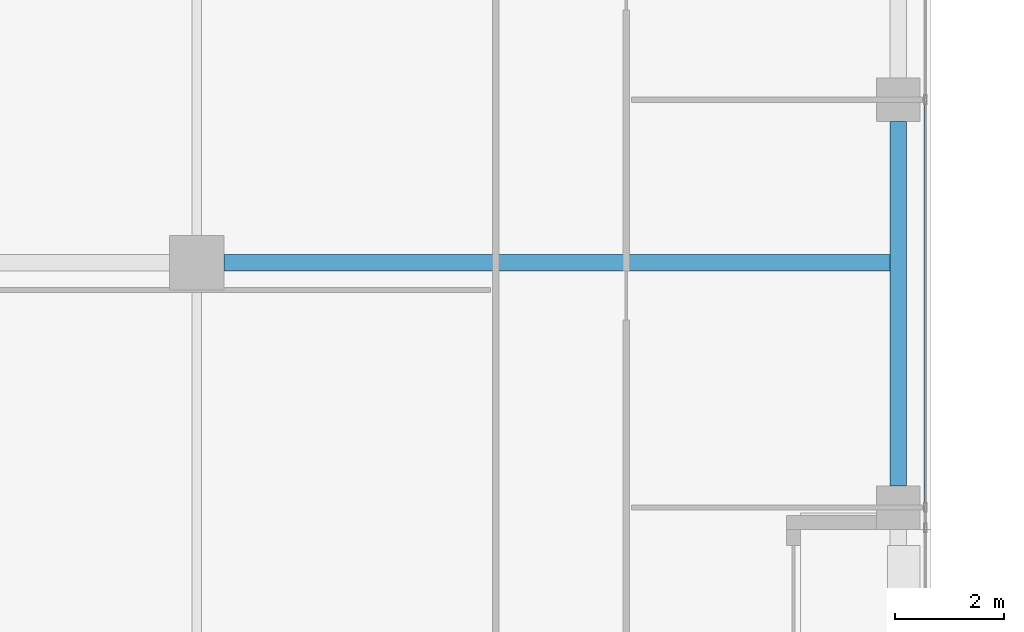
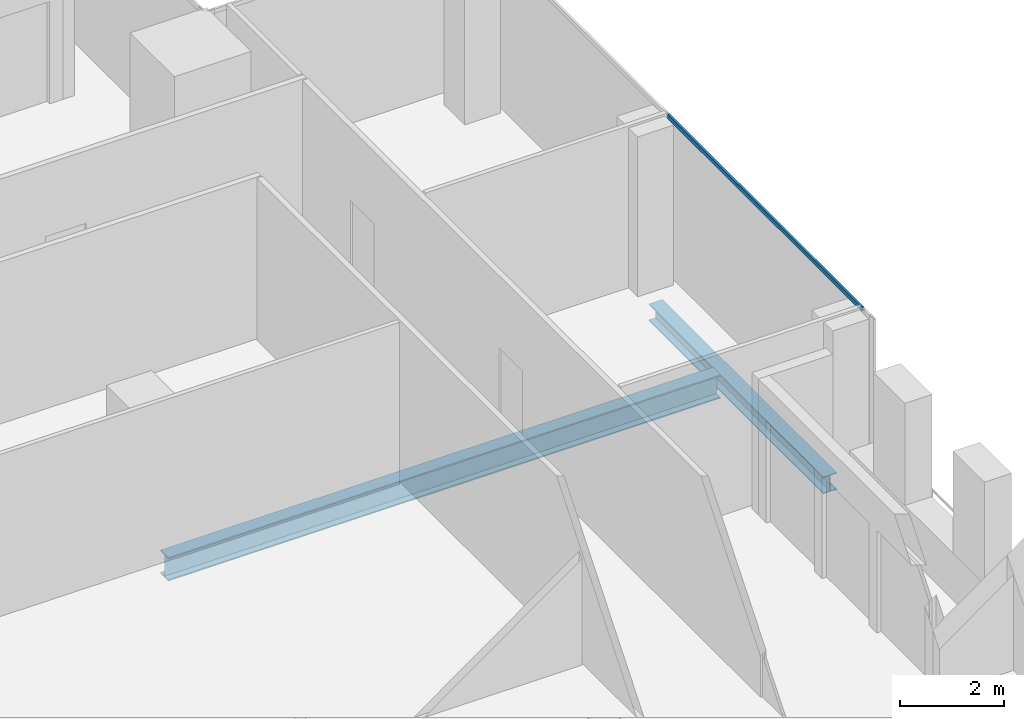
# One storey, part 11 of 29: 2 beams, 1 member, 1 element without a shape of its own.
"""IFC4 building model written with IfcOpenShell, lengths in metres."""

from ifc_helpers import new_model, si_unit, direction, frame, origin, origin_2d, place, context, subcontext, project, spatial, hollow_rectangle, i_section, extrude, source, transform, mapped, material, material_profile, profile_set, type_object, element, aggregate, save


model = new_model("IFC4")

# Units and contexts
model_context = context("Model", 3, precision=1e-05, world=origin(), true_north=direction((0.0, 1.0)))
body_context = subcontext(model_context, "Body", "Model", "MODEL_VIEW")
ifc_project = project(units=[si_unit("LENGTHUNIT", "METRE"), si_unit("AREAUNIT", "SQUARE_METRE"), si_unit("VOLUMEUNIT", "CUBIC_METRE"), si_unit("PLANEANGLEUNIT", "RADIAN"), si_unit("MASSUNIT", "GRAM", prefix="KILO")], contexts=[model_context])

# Site, building, storey
site_placement = place(None, origin())
site = spatial("IfcSite", under=ifc_project, at=site_placement, CompositionType="ELEMENT")
building_placement = place(site_placement, origin())
building = spatial("IfcBuilding", under=site, at=building_placement, Name="Khomas Fold Tower", CompositionType="ELEMENT")
storey_placement = place(building_placement, frame((0.0, 0.0, 290.199951171875)))
storey = spatial("IfcBuildingStorey", under=building, at=storey_placement, Name="L65", CompositionType="ELEMENT", Elevation=290.199951171875)

# Beams
ifc_material_1 = material(Name="Steel S355", Category="steel")
ifc_material_profile_1 = material_profile(ifc_material_1, i_section(OverallWidth=0.300048828125, OverallDepth=0.39990234375, WebThickness=0.013427734375, FlangeThickness=0.02392578125, at=origin_2d()), Name="HE 400 B")
ifc_profile_set_1 = profile_set([ifc_material_profile_1], Name="Steel S355")
beam_type_1 = type_object("IfcBeamType", Name="HE 400 B spandrel SB5", PredefinedType="SPANDREL", material=ifc_profile_set_1)
shared_shape_1 = source(origin(), body_context, "Body", "SweptSolid", [
    extrude(i_section(OverallWidth=0.300048828125, OverallDepth=0.39990234375, WebThickness=0.013427734375, FlangeThickness=0.02392578125, at=origin_2d()), origin(), (0.0, 0.0, 1.0), 6.7001953125),
])
beam_1_placement = place(storey_placement, frame((47.39990234375, 27.39990234375, -0.449951171875), z_axis=(0.0, 1.0, 0.0), x_axis=(-1.0, 0.0, 0.0)))
element("IfcBeam", 1, at=beam_1_placement, inside=storey, type_object=beam_type_1, Name="SB5", PredefinedType="SPANDREL", context=body_context, shape_type="MappedRepresentation", body=[
    mapped(shared_shape_1, transform((0.0, 0.0, 0.0))),
])
ifc_material_2 = material(Name="Steel S355", Category="steel")
ifc_material_profile_2 = material_profile(ifc_material_2, i_section(OverallWidth=0.300048828125, OverallDepth=0.550048828125, WebThickness=0.014892578125, FlangeThickness=0.029052734375, at=origin_2d()), Name="HE 550 B")
ifc_profile_set_2 = profile_set([ifc_material_profile_2], Name="Steel S355")
beam_type_2 = type_object("IfcBeamType", Name="HE 550 B beam GB4", PredefinedType="BEAM", material=ifc_profile_set_2)
shared_shape_2 = source(origin(), body_context, "Body", "SweptSolid", [
    extrude(i_section(OverallWidth=0.300048828125, OverallDepth=0.550048828125, WebThickness=0.014892578125, FlangeThickness=0.029052734375, at=origin_2d()), origin(), (0.0, 0.0, 1.0), 12.25),
])
beam_2_placement = place(storey_placement, frame((35.0, 31.5, -0.52490234375), z_axis=(1.0, 0.0, 0.0), x_axis=(0.0, 1.0, 0.0)))
element("IfcBeam", 2, at=beam_2_placement, inside=storey, type_object=beam_type_2, Name="GB4", PredefinedType="BEAM", context=body_context, shape_type="MappedRepresentation", body=[
    mapped(shared_shape_2, transform((0.0, 0.0, 0.0))),
])

# Curtain wall, member
ifc_material_3 = material(Name="Aluminium framed double glazing", Category="aluminium")
curtain_wall_type = type_object("IfcCurtainWallType", Name="SK-Unitised clear-glass wall, upper floors CW3", PredefinedType="NOTDEFINED", material=ifc_material_3)
curtain_wall_placement = place(storey_placement, origin())
curtain_wall = element("IfcCurtainWall", 3, at=curtain_wall_placement, inside=storey, type_object=curtain_wall_type, Name="CW3 run L65 03-1", PredefinedType="NOTDEFINED")
ifc_material_4 = material(Name="Aluminium", Category="aluminium")
ifc_material_profile_3 = material_profile(ifc_material_4, hollow_rectangle(XDim=0.050048828125, YDim=0.10009765625, WallThickness=0.00390625, at=origin_2d()), Name="SK-Unitised clear-glass wall, upper floors transom CW3-T")
ifc_profile_set_3 = profile_set([ifc_material_profile_3], Name="Aluminium")
member_type = type_object("IfcMemberType", Name="SK-Unitised clear-glass wall, upper floors transom CW3-T", PredefinedType="USERDEFINED", material=ifc_profile_set_3)
shared_shape_3 = source(origin(), body_context, "Body", "SweptSolid", [
    extrude(hollow_rectangle(XDim=0.050048828125, YDim=0.10009765625, WallThickness=0.00390625, at=origin_2d()), origin(), (0.0, 0.0, 1.0), 7.4501953125),
])
member_placement = place(storey_placement, frame((47.89990234375, 27.02490234375, 3.699951171875), z_axis=(0.0, 1.0, 0.0), x_axis=(-1.0, 0.0, 0.0)))
member = element("IfcMember", 4, at=member_placement, type_object=member_type, Name="CW3 transom 2", ObjectType="TRANSOM", PredefinedType="USERDEFINED", context=body_context, shape_type="MappedRepresentation", body=[
    mapped(shared_shape_3, transform((0.0, 0.0, 0.0))),
])
aggregate(curtain_wall, [member])

save(model, "model.ifc")
